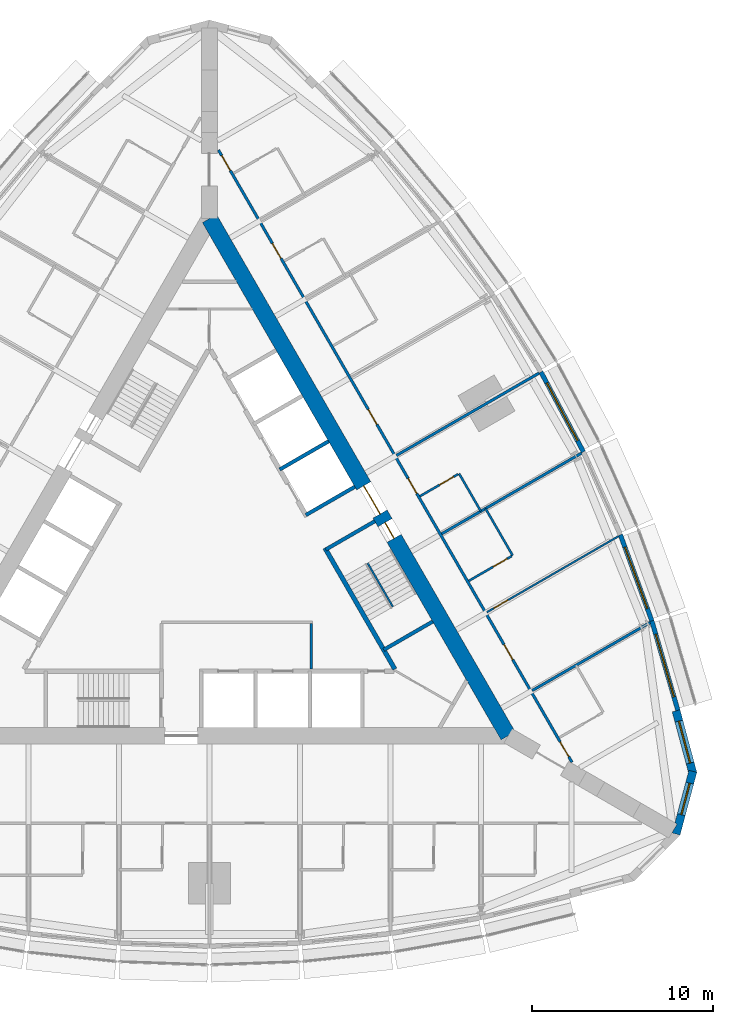
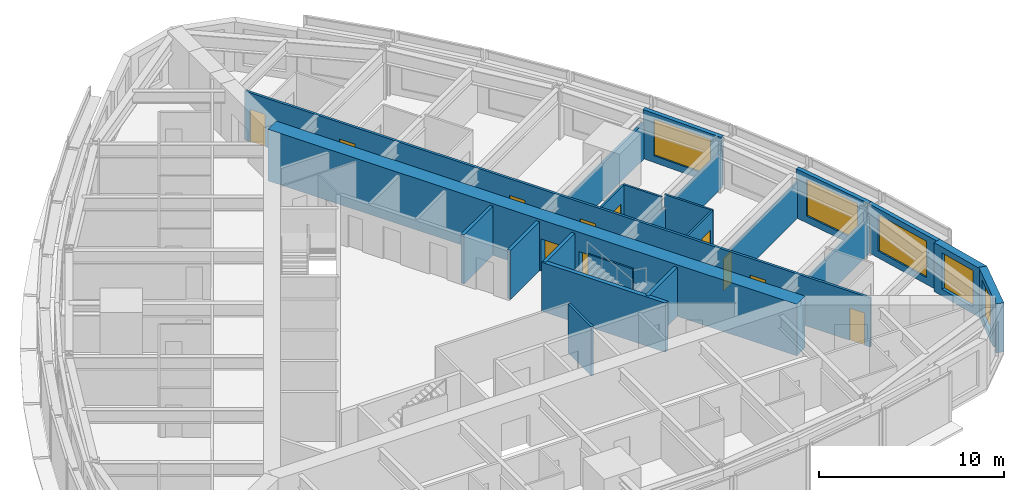
# One storey, part 11 of 14: 22 walls, 11 doors, 5 windows, 16 openings.
"""IFC4 building model written with IfcOpenShell, lengths in metres."""

from ifc_helpers import new_model, si_unit, direction, frame, frame_2d, origin, place, context, subcontext, project, spatial, polyline, rectangle, outline, extrude, material, layer, layer_set, type_object, element, fill, save


model = new_model("IFC4")

# Units and contexts
model_context = context("Model", 3, precision=1e-05, world=origin(), true_north=direction((0.0, 1.0)))
body_context = subcontext(model_context, "Body", "Model", "MODEL_VIEW")
ifc_project = project(units=[si_unit("LENGTHUNIT", "METRE"), si_unit("AREAUNIT", "SQUARE_METRE"), si_unit("VOLUMEUNIT", "CUBIC_METRE"), si_unit("PLANEANGLEUNIT", "RADIAN"), si_unit("MASSUNIT", "GRAM", prefix="KILO")], contexts=[model_context])

# Site, building, storey
site_placement = place(None, origin())
site = spatial("IfcSite", under=ifc_project, at=site_placement, CompositionType="ELEMENT")
building_placement = place(site_placement, origin())
building = spatial("IfcBuilding", under=site, at=building_placement, Name="Trikona Tower", CompositionType="ELEMENT")
storey_placement = place(building_placement, frame((0.0, 0.0, 148.699951171875)))
storey = spatial("IfcBuildingStorey", under=building, at=storey_placement, Name="L39", CompositionType="ELEMENT", Elevation=148.699951171875)

# Wall
ifc_material_1 = material(Name="Metal stud and cement board", Category="gypsum")
ifc_layer_1 = layer(ifc_material_1, 0.1201171875)
ifc_layer_set_1 = layer_set([ifc_layer_1], Name="Bathroom wall 120")
wall_type_1 = type_object("IfcWallType", Name="Bathroom wall 120", PredefinedType="PLUMBINGWALL", material=ifc_layer_set_1)
wall_1_placement = place(storey_placement, frame((16.75341796875, 0.434814453125, 0.0), z_axis=(0.0, 0.0, 1.0), x_axis=(-0.499990139034, 0.866031096941, 0.0)))
element("IfcWall", 1, at=wall_1_placement, inside=storey, type_object=wall_type_1, Name="Bathroom wall 3908.1", PredefinedType="PLUMBINGWALL", context=body_context, shape_type="SweptSolid", body=[
    extrude(rectangle(XDim=3.0, YDim=0.1201171875, at=frame_2d((1.5, 0.0))), origin(), (0.0, 0.0, 1.0), 3.235107421875),
])

# Wall, opening, door
wall_2_placement = place(storey_placement, frame((14.32861328125, -0.965087890625, 0.0), z_axis=(0.0, 0.0, 1.0), x_axis=(0.866035715982, 0.499982138324, 0.0)))
wall_2 = element("IfcWall", 2, at=wall_2_placement, inside=storey, type_object=wall_type_1, Name="Bathroom wall 3908.1", PredefinedType="PLUMBINGWALL", context=body_context, shape_type="SweptSolid", body=[
    extrude(rectangle(XDim=2.73974609375, YDim=0.1201171875, at=frame_2d((1.369873046875, 0.0))), origin(), (0.0, 0.0, 1.0), 3.235107421875),
])
opening_1_placement = place(wall_2_placement, frame((1.550048828125, 0.0, 0.0)))
opening_1 = element("IfcOpeningElement", 3, at=opening_1_placement, cuts=wall_2, Name="Opening D2", PredefinedType="OPENING", context=body_context, shape_type="SweptSolid", body=[
    extrude(rectangle(XDim=0.89990234375, YDim=2.1298828125, at=frame_2d((0.449951171875, 1.06494140625))), frame((0.0, 0.070068359375, 0.0), z_axis=(0.0, -1.0, 0.0), x_axis=(1.0, 0.0, 0.0)), (0.0, 0.0, 1.0), 0.14013671875),
])
ifc_material_2 = material(Name="Steel door frame with solid-core timber leaf", Category="steel")
door_type_1 = type_object("IfcDoorType", Name="Bathroom door 900x2130", OperationType="SLIDING_TO_LEFT", PredefinedType="DOOR", material=ifc_material_2)
door_1_placement = place(opening_1_placement, origin())
door_1 = element("IfcDoor", 4, at=door_1_placement, inside=storey, type_object=door_type_1, Name="Bathroom door 3908.1", OperationType="SLIDING_TO_LEFT", OverallHeight=2.1298828125, OverallWidth=0.89990234375, PredefinedType="DOOR", context=body_context, shape_type="SweptSolid", body=[
    extrude(rectangle(XDim=0.89990234375, YDim=2.1298828125, at=frame_2d((0.449951171875, 1.06494140625))), frame((0.0, 0.02490234375, 0.0), z_axis=(0.0, -1.0, 0.0), x_axis=(1.0, 0.0, 0.0)), (0.0, 0.0, 1.0), 0.050048828125),
])
fill(opening_1, door_1)

# Wall
wall_3_placement = place(storey_placement, frame((14.993408203125, 2.883056640625, 0.0), z_axis=(0.0, 0.0, 1.0), x_axis=(-0.500001309137, 0.866024647952, 0.0)))
element("IfcWall", 5, at=wall_3_placement, inside=storey, type_object=wall_type_1, Name="Bathroom wall 3909", PredefinedType="PLUMBINGWALL", context=body_context, shape_type="SweptSolid", body=[
    extrude(rectangle(XDim=2.39990234375, YDim=0.1201171875, at=frame_2d((1.199951171875, 0.0))), origin(), (0.0, 0.0, 1.0), 3.235107421875),
])

# Wall, opening, door
wall_4_placement = place(storey_placement, frame((11.62841796875, 3.71142578125, 0.0), z_axis=(0.0, 0.0, 1.0), x_axis=(0.866048967903, 0.499959183527, 0.0)))
wall_4 = element("IfcWall", 6, at=wall_4_placement, inside=storey, type_object=wall_type_1, Name="Bathroom wall 3909", PredefinedType="PLUMBINGWALL", context=body_context, shape_type="SweptSolid", body=[
    extrude(rectangle(XDim=2.440185546875, YDim=0.1201171875, at=frame_2d((1.22021484375, 0.0))), origin(), (0.0, 0.0, 1.0), 3.235107421875),
])
opening_2_placement = place(wall_4_placement, frame((1.25, 0.0, 0.0)))
opening_2 = element("IfcOpeningElement", 7, at=opening_2_placement, cuts=wall_4, Name="Opening D2", PredefinedType="OPENING", context=body_context, shape_type="SweptSolid", body=[
    extrude(rectangle(XDim=0.89990234375, YDim=2.1298828125, at=frame_2d((0.449951171875, 1.06494140625))), frame((0.0, 0.070068359375, 0.0), z_axis=(0.0, -1.0, 0.0), x_axis=(1.0, 0.0, 0.0)), (0.0, 0.0, 1.0), 0.14013671875),
])
door_2_placement = place(opening_2_placement, origin())
door_2 = element("IfcDoor", 8, at=door_2_placement, inside=storey, type_object=door_type_1, Name="Bathroom door 3909", OperationType="SLIDING_TO_LEFT", OverallHeight=2.1298828125, OverallWidth=0.89990234375, PredefinedType="DOOR", context=body_context, shape_type="SweptSolid", body=[
    extrude(rectangle(XDim=0.89990234375, YDim=2.1298828125, at=frame_2d((0.449951171875, 1.06494140625))), frame((0.0, 0.02490234375, 0.0), z_axis=(0.0, -1.0, 0.0), x_axis=(1.0, 0.0, 0.0)), (0.0, 0.0, 1.0), 0.050048828125),
])
fill(opening_2, door_2)

# Wall, opening, window
ifc_material_3 = material(Name="Brick-faced precast concrete", Category="masonry")
ifc_layer_2 = layer(ifc_material_3, 0.449951171875)
ifc_layer_set_2 = layer_set([ifc_layer_2], Name="Brick-faced corner wall 450")
wall_type_2 = type_object("IfcWallType", Name="Brick-faced corner wall 450", PredefinedType="SOLIDWALL", material=ifc_layer_set_2)
wall_5_placement = place(storey_placement, frame((25.78271484375, -14.952880859375, 0.0), z_axis=(0.0, 0.0, 1.0), x_axis=(0.258823421857, 0.965924653531, 0.0)))
wall_5 = element("IfcWall", 9, at=wall_5_placement, inside=storey, type_object=wall_type_2, Name="External wall L39-10", PredefinedType="SOLIDWALL", context=body_context, shape_type="SweptSolid", body=[
    extrude(outline(polyline([(3.58642578125, 0.22509765625), (0.58642578125, 0.22509765625), (0.551025390625, 0.09326171875), (0.0595703125, 0.22509765625), (0.0, 0.22509765625), (0.0, -0.22509765625), (3.58642578125, -0.22509765625), (3.58642578125, 0.22509765625)])), origin(), (0.0, 0.0, 1.0), 3.235107421875),
])
opening_3_placement = place(wall_5_placement, frame((1.111328125, 0.0, 0.449951171875)))
opening_3 = element("IfcOpeningElement", 10, at=opening_3_placement, cuts=wall_5, Name="Opening W1824", PredefinedType="OPENING", context=body_context, shape_type="SweptSolid", body=[
    extrude(rectangle(XDim=1.800048828125, YDim=2.39990234375, at=frame_2d((0.89990234375, 1.199951171875))), frame((0.0, 0.23486328125, 0.0), z_axis=(0.0, -1.0, 0.0), x_axis=(1.0, 0.0, 0.0)), (0.0, 0.0, 1.0), 0.469970703125),
])
ifc_material_4 = material(Name="Aluminium-framed double glazing", Category="aluminium")
window_type_1 = type_object("IfcWindowType", Name="Window 1800x2400", PartitioningType="SINGLE_PANEL", PredefinedType="WINDOW", material=ifc_material_4)
window_1_placement = place(opening_3_placement, origin())
window_1 = element("IfcWindow", 11, at=window_1_placement, inside=storey, type_object=window_type_1, Name="Window 3907", OverallHeight=2.39990234375, OverallWidth=1.800048828125, PartitioningType="SINGLE_PANEL", PredefinedType="WINDOW", context=body_context, shape_type="SweptSolid", body=[
    extrude(rectangle(XDim=1.800048828125, YDim=2.39990234375, at=frame_2d((0.89990234375, 1.199951171875))), frame((0.0, 0.030029296875, 0.0), z_axis=(0.0, -1.0, 0.0), x_axis=(1.0, 0.0, 0.0)), (0.0, 0.0, 1.0), 0.06005859375),
])
fill(opening_3, window_1)

wall_6_placement = place(storey_placement, frame((26.7109375, -11.605224609375, 0.0), z_axis=(0.0, 0.0, 1.0), x_axis=(-0.258823421857, 0.965924653531, 0.0)))
wall_6 = element("IfcWall", 12, at=wall_6_placement, inside=storey, type_object=wall_type_2, Name="External wall L39-11", PredefinedType="SOLIDWALL", context=body_context, shape_type="SweptSolid", body=[
    extrude(rectangle(XDim=3.58642578125, YDim=0.449951171875, at=frame_2d((1.793212890625, 0.0))), origin(), (0.0, 0.0, 1.0), 3.235107421875),
])
opening_4_placement = place(wall_6_placement, frame((0.593017578125, 0.0, 0.449951171875)))
opening_4 = element("IfcOpeningElement", 13, at=opening_4_placement, cuts=wall_6, Name="Opening W2424", PredefinedType="OPENING", context=body_context, shape_type="SweptSolid", body=[
    extrude(rectangle(XDim=2.39990234375, YDim=2.39990234375, at=frame_2d((1.199951171875, 1.199951171875))), frame((0.0, 0.23486328125, 0.0), z_axis=(0.0, -1.0, 0.0), x_axis=(1.0, 0.0, 0.0)), (0.0, 0.0, 1.0), 0.469970703125),
])
ifc_material_5 = material(Name="Aluminium-framed double glazing", Category="aluminium")
window_type_2 = type_object("IfcWindowType", Name="Window 2400x2400", PartitioningType="SINGLE_PANEL", PredefinedType="WINDOW", material=ifc_material_5)
window_2_placement = place(opening_4_placement, origin())
window_2 = element("IfcWindow", 14, at=window_2_placement, inside=storey, type_object=window_type_2, Name="Window 3907", OverallHeight=2.39990234375, OverallWidth=2.39990234375, PartitioningType="SINGLE_PANEL", PredefinedType="WINDOW", context=body_context, shape_type="SweptSolid", body=[
    extrude(rectangle(XDim=2.39990234375, YDim=2.39990234375, at=frame_2d((1.199951171875, 1.199951171875))), frame((0.0, 0.030029296875, 0.0), z_axis=(0.0, -1.0, 0.0), x_axis=(1.0, 0.0, 0.0)), (0.0, 0.0, 1.0), 0.06005859375),
])
fill(opening_4, window_2)

# Wall, openings, doors
ifc_material_6 = material(Name="Concrete f'c 10000 psi", Category="concrete")
ifc_layer_3 = layer(ifc_material_6, 0.89990234375)
ifc_layer_set_3 = layer_set([ifc_layer_3], Name="Core wall 900")
wall_type_3 = type_object("IfcWallType", Name="Core wall 900", PredefinedType="SHEAR", material=ifc_layer_set_3)
wall_7_placement = place(storey_placement, frame((16.5, -9.5263671875, 0.0), z_axis=(0.0, 0.0, 1.0), x_axis=(-0.499999749417, 0.866025548458, 0.0)))
wall_7 = element("IfcWall", 15, at=wall_7_placement, inside=storey, type_object=wall_type_3, Name="Core wall B", PredefinedType="SHEAR", context=body_context, shape_type="SweptSolid", body=[
    extrude(rectangle(XDim=33.0, YDim=0.89990234375, at=frame_2d((16.5, 0.0))), origin(), (0.0, 0.0, 1.0), 3.400146484375),
])
opening_5_placement = place(wall_7_placement, frame((14.14990234375, 0.0, 0.0)))
opening_5 = element("IfcOpeningElement", 16, at=opening_5_placement, cuts=wall_7, Name="Opening D6", PredefinedType="OPENING", context=body_context, shape_type="SweptSolid", body=[
    extrude(rectangle(XDim=1.800048828125, YDim=2.1298828125, at=frame_2d((0.89990234375, 1.06494140625))), frame((0.0, 0.4599609375, 0.0), z_axis=(0.0, -1.0, 0.0), x_axis=(1.0, 0.0, 0.0)), (0.0, 0.0, 1.0), 0.919921875),
])
opening_6_placement = place(wall_7_placement, frame((12.60009765625, 0.0, 0.0)))
opening_6 = element("IfcOpeningElement", 17, at=opening_6_placement, cuts=wall_7, Name="Opening D5", PredefinedType="OPENING", context=body_context, shape_type="SweptSolid", body=[
    extrude(rectangle(XDim=1.0, YDim=2.1298828125, at=frame_2d((0.5, 1.06494140625))), frame((0.0, 0.4599609375, 0.0), z_axis=(0.0, -1.0, 0.0), x_axis=(1.0, 0.0, 0.0)), (0.0, 0.0, 1.0), 0.919921875),
])
ifc_material_7 = material(Name="Hollow metal door and frame", Category="steel")
door_type_2 = type_object("IfcDoorType", Name="Lobby door pair 1800x2130", OperationType="DOUBLE_DOOR_SINGLE_SWING", PredefinedType="DOOR", material=ifc_material_7)
door_3_placement = place(opening_5_placement, origin())
door_3 = element("IfcDoor", 18, at=door_3_placement, inside=storey, type_object=door_type_2, Name="Lift lobby door B", OperationType="DOUBLE_DOOR_SINGLE_SWING", OverallHeight=2.1298828125, OverallWidth=1.800048828125, PredefinedType="DOOR", context=body_context, shape_type="SweptSolid", body=[
    extrude(rectangle(XDim=1.800048828125, YDim=2.1298828125, at=frame_2d((0.89990234375, 1.06494140625))), frame((0.0, 0.02490234375, 0.0), z_axis=(0.0, -1.0, 0.0), x_axis=(1.0, 0.0, 0.0)), (0.0, 0.0, 1.0), 0.050048828125),
])
fill(opening_5, door_3)
ifc_material_8 = material(Name="Hollow metal door and frame", Category="steel")
door_type_3 = type_object("IfcDoorType", Name="Stair door 1000x2130", OperationType="SINGLE_SWING_LEFT", PredefinedType="DOOR", material=ifc_material_8)
door_4_placement = place(opening_6_placement, origin())
door_4 = element("IfcDoor", 19, at=door_4_placement, inside=storey, type_object=door_type_3, Name="Stair B door", OperationType="SINGLE_SWING_RIGHT", OverallHeight=2.1298828125, OverallWidth=1.0, PredefinedType="DOOR", context=body_context, shape_type="SweptSolid", body=[
    extrude(rectangle(XDim=1.0, YDim=2.1298828125, at=frame_2d((0.5, 1.06494140625))), frame((0.0, 0.02490234375, 0.0), z_axis=(0.0, -1.0, 0.0), x_axis=(1.0, 0.0, 0.0)), (0.0, 0.0, 1.0), 0.050048828125),
])
fill(opening_6, door_4)

ifc_material_9 = material(Name="Metal stud and gypsum board, 1-hour", Category="gypsum")
ifc_layer_4 = layer(ifc_material_9, 0.14990234375)
ifc_layer_set_4 = layer_set([ifc_layer_4], Name="Corridor wall 150")
wall_type_4 = type_object("IfcWallType", Name="Corridor wall 150", PredefinedType="PARTITIONING", material=ifc_layer_set_4)
wall_8_placement = place(storey_placement, frame((20.027099609375, -10.9853515625, 0.0), z_axis=(0.0, 0.0, 1.0), x_axis=(-0.500001677587, 0.866024435227, 0.0)))
wall_8 = element("IfcWall", 20, at=wall_8_placement, inside=storey, type_object=wall_type_4, Name="Corridor wall L39-2", PredefinedType="PARTITIONING", context=body_context, shape_type="SweptSolid", body=[
    extrude(rectangle(XDim=39.053955078125, YDim=0.14990234375, at=frame_2d((19.52685546875, 0.0))), origin(), (0.0, 0.0, 1.0), 3.235107421875),
])
opening_7_placement = place(wall_8_placement, frame((0.35205078125, 0.0, 0.0)))
opening_7 = element("IfcOpeningElement", 21, at=opening_7_placement, cuts=wall_8, Name="Opening D1", PredefinedType="OPENING", context=body_context, shape_type="SweptSolid", body=[
    extrude(rectangle(XDim=0.949951171875, YDim=2.1298828125, at=frame_2d((0.47509765625, 1.06494140625))), frame((0.0, 0.0849609375, 0.0), z_axis=(0.0, -1.0, 0.0), x_axis=(1.0, 0.0, 0.0)), (0.0, 0.0, 1.0), 0.169921875),
])
opening_8_placement = place(wall_8_placement, frame((6.552001953125, 0.0, 0.0)))
opening_8 = element("IfcOpeningElement", 22, at=opening_8_placement, cuts=wall_8, Name="Opening D1", PredefinedType="OPENING", context=body_context, shape_type="SweptSolid", body=[
    extrude(rectangle(XDim=0.949951171875, YDim=2.1298828125, at=frame_2d((0.47509765625, 1.06494140625))), frame((0.0, 0.0849609375, 0.0), z_axis=(0.0, -1.0, 0.0), x_axis=(1.0, 0.0, 0.0)), (0.0, 0.0, 1.0), 0.169921875),
])
opening_9_placement = place(wall_8_placement, frame((17.152099609375, 0.0, 0.0)))
opening_9 = element("IfcOpeningElement", 23, at=opening_9_placement, cuts=wall_8, Name="Opening D1", PredefinedType="OPENING", context=body_context, shape_type="SweptSolid", body=[
    extrude(rectangle(XDim=0.949951171875, YDim=2.1298828125, at=frame_2d((0.47509765625, 1.06494140625))), frame((0.0, 0.0849609375, 0.0), z_axis=(0.0, -1.0, 0.0), x_axis=(1.0, 0.0, 0.0)), (0.0, 0.0, 1.0), 0.169921875),
])
opening_10_placement = place(wall_8_placement, frame((21.552001953125, 0.0, 0.0)))
opening_10 = element("IfcOpeningElement", 24, at=opening_10_placement, cuts=wall_8, Name="Opening D1", PredefinedType="OPENING", context=body_context, shape_type="SweptSolid", body=[
    extrude(rectangle(XDim=0.949951171875, YDim=2.1298828125, at=frame_2d((0.47509765625, 1.06494140625))), frame((0.0, 0.0849609375, 0.0), z_axis=(0.0, -1.0, 0.0), x_axis=(1.0, 0.0, 0.0)), (0.0, 0.0, 1.0), 0.169921875),
])
opening_11_placement = place(wall_8_placement, frame((32.152099609375, 0.0, 0.0)))
opening_11 = element("IfcOpeningElement", 25, at=opening_11_placement, cuts=wall_8, Name="Opening D1", PredefinedType="OPENING", context=body_context, shape_type="SweptSolid", body=[
    extrude(rectangle(XDim=0.949951171875, YDim=2.1298828125, at=frame_2d((0.47509765625, 1.06494140625))), frame((0.0, 0.0849609375, 0.0), z_axis=(0.0, -1.0, 0.0), x_axis=(1.0, 0.0, 0.0)), (0.0, 0.0, 1.0), 0.169921875),
])
opening_12_placement = place(wall_8_placement, frame((37.751953125, 0.0, 0.0)))
opening_12 = element("IfcOpeningElement", 26, at=opening_12_placement, cuts=wall_8, Name="Opening D1", PredefinedType="OPENING", context=body_context, shape_type="SweptSolid", body=[
    extrude(rectangle(XDim=0.949951171875, YDim=2.1298828125, at=frame_2d((0.47509765625, 1.06494140625))), frame((0.0, 0.0849609375, 0.0), z_axis=(0.0, -1.0, 0.0), x_axis=(1.0, 0.0, 0.0)), (0.0, 0.0, 1.0), 0.169921875),
])
ifc_material_10 = material(Name="Steel door frame with solid-core timber leaf", Category="steel")
door_type_4 = type_object("IfcDoorType", Name="Guest room door 950x2130", OperationType="SINGLE_SWING_LEFT", PredefinedType="DOOR", material=ifc_material_10)
door_5_placement = place(opening_7_placement, origin())
door_5 = element("IfcDoor", 27, at=door_5_placement, inside=storey, type_object=door_type_4, Name="Room door 3907", OperationType="SINGLE_SWING_LEFT", OverallHeight=2.1298828125, OverallWidth=0.949951171875, PredefinedType="DOOR", context=body_context, shape_type="SweptSolid", body=[
    extrude(rectangle(XDim=0.949951171875, YDim=2.1298828125, at=frame_2d((0.47509765625, 1.06494140625))), frame((0.0, 0.02490234375, 0.0), z_axis=(0.0, -1.0, 0.0), x_axis=(1.0, 0.0, 0.0)), (0.0, 0.0, 1.0), 0.050048828125),
])
fill(opening_7, door_5)
door_6_placement = place(opening_8_placement, origin())
door_6 = element("IfcDoor", 28, at=door_6_placement, inside=storey, type_object=door_type_4, Name="Room door 3908", OperationType="SINGLE_SWING_RIGHT", OverallHeight=2.1298828125, OverallWidth=0.949951171875, PredefinedType="DOOR", context=body_context, shape_type="SweptSolid", body=[
    extrude(rectangle(XDim=0.949951171875, YDim=2.1298828125, at=frame_2d((0.47509765625, 1.06494140625))), frame((0.0, 0.02490234375, 0.0), z_axis=(0.0, -1.0, 0.0), x_axis=(1.0, 0.0, 0.0)), (0.0, 0.0, 1.0), 0.050048828125),
])
fill(opening_8, door_6)
door_7_placement = place(opening_9_placement, origin())
door_7 = element("IfcDoor", 29, at=door_7_placement, inside=storey, type_object=door_type_4, Name="Room door 3909", OperationType="SINGLE_SWING_LEFT", OverallHeight=2.1298828125, OverallWidth=0.949951171875, PredefinedType="DOOR", context=body_context, shape_type="SweptSolid", body=[
    extrude(rectangle(XDim=0.949951171875, YDim=2.1298828125, at=frame_2d((0.47509765625, 1.06494140625))), frame((0.0, 0.02490234375, 0.0), z_axis=(0.0, -1.0, 0.0), x_axis=(1.0, 0.0, 0.0)), (0.0, 0.0, 1.0), 0.050048828125),
])
fill(opening_9, door_7)
door_8_placement = place(opening_10_placement, origin())
door_8 = element("IfcDoor", 30, at=door_8_placement, inside=storey, type_object=door_type_4, Name="Room door 3910", OperationType="SINGLE_SWING_RIGHT", OverallHeight=2.1298828125, OverallWidth=0.949951171875, PredefinedType="DOOR", context=body_context, shape_type="SweptSolid", body=[
    extrude(rectangle(XDim=0.949951171875, YDim=2.1298828125, at=frame_2d((0.47509765625, 1.06494140625))), frame((0.0, 0.02490234375, 0.0), z_axis=(0.0, -1.0, 0.0), x_axis=(1.0, 0.0, 0.0)), (0.0, 0.0, 1.0), 0.050048828125),
])
fill(opening_10, door_8)
door_9_placement = place(opening_11_placement, origin())
door_9 = element("IfcDoor", 31, at=door_9_placement, inside=storey, type_object=door_type_4, Name="Room door 3911", OperationType="SINGLE_SWING_LEFT", OverallHeight=2.1298828125, OverallWidth=0.949951171875, PredefinedType="DOOR", context=body_context, shape_type="SweptSolid", body=[
    extrude(rectangle(XDim=0.949951171875, YDim=2.1298828125, at=frame_2d((0.47509765625, 1.06494140625))), frame((0.0, 0.02490234375, 0.0), z_axis=(0.0, -1.0, 0.0), x_axis=(1.0, 0.0, 0.0)), (0.0, 0.0, 1.0), 0.050048828125),
])
fill(opening_11, door_9)
door_10_placement = place(opening_12_placement, origin())
door_10 = element("IfcDoor", 32, at=door_10_placement, inside=storey, type_object=door_type_4, Name="Room door 3912", OperationType="SINGLE_SWING_RIGHT", OverallHeight=2.1298828125, OverallWidth=0.949951171875, PredefinedType="DOOR", context=body_context, shape_type="SweptSolid", body=[
    extrude(rectangle(XDim=0.949951171875, YDim=2.1298828125, at=frame_2d((0.47509765625, 1.06494140625))), frame((0.0, 0.02490234375, 0.0), z_axis=(0.0, -1.0, 0.0), x_axis=(1.0, 0.0, 0.0)), (0.0, 0.0, 1.0), 0.050048828125),
])
fill(opening_12, door_10)

# Wall
ifc_material_11 = material(Name="Concrete f'c 8000 psi", Category="concrete")
ifc_layer_5 = layer(ifc_material_11, 0.25)
ifc_layer_set_5 = layer_set([ifc_layer_5], Name="Hub wall 250")
wall_type_5 = type_object("IfcWallType", Name="Hub wall 250", PredefinedType="SOLIDWALL", material=ifc_layer_set_5)
wall_9_placement = place(storey_placement, frame((10.245361328125, -5.843017578125, 0.0), z_axis=(0.0, 0.0, 1.0), x_axis=(-0.499993009313, 0.866029439822, 0.0)))
element("IfcWall", 33, at=wall_9_placement, inside=storey, type_object=wall_type_5, Name="Lift lobby wall B1", PredefinedType="SOLIDWALL", context=body_context, shape_type="SweptSolid", body=[
    extrude(rectangle(XDim=7.73291015625, YDim=0.25, at=frame_2d((3.866455078125, 0.0))), origin(), (0.0, 0.0, 1.0), 3.235107421875),
])

# Wall, opening, window
ifc_material_12 = material(Name="Insulated precast concrete spandrel panel", Category="concrete")
ifc_layer_6 = layer(ifc_material_12, 0.25)
ifc_layer_set_6 = layer_set([ifc_layer_6], Name="Inner skin wall 250")
wall_type_6 = type_object("IfcWallType", Name="Inner skin wall 250", PredefinedType="STANDARD", material=ifc_layer_set_6)
wall_10_placement = place(storey_placement, frame((25.8798828125, -8.117919921875, 0.0), z_axis=(0.0, 0.0, 1.0), x_axis=(-0.279528287117, 0.960137457191, 0.0)))
wall_10 = element("IfcWall", 34, at=wall_10_placement, inside=storey, type_object=wall_type_6, Name="External wall L39-12", PredefinedType="STANDARD", context=body_context, shape_type="SweptSolid", body=[
    extrude(rectangle(XDim=5.14794921875, YDim=0.25, at=frame_2d((2.573974609375, 0.0))), origin(), (0.0, 0.0, 1.0), 3.235107421875),
])
opening_13_placement = place(wall_10_placement, frame((0.77392578125, 0.0, 0.449951171875)))
opening_13 = element("IfcOpeningElement", 35, at=opening_13_placement, cuts=wall_10, Name="Opening W3624", PredefinedType="OPENING", context=body_context, shape_type="SweptSolid", body=[
    extrude(rectangle(XDim=3.60009765625, YDim=2.39990234375, at=frame_2d((1.800048828125, 1.199951171875))), frame((0.0, 0.135009765625, 0.0), z_axis=(0.0, -1.0, 0.0), x_axis=(1.0, 0.0, 0.0)), (0.0, 0.0, 1.0), 0.27001953125),
])
ifc_material_13 = material(Name="Aluminium-framed double glazing", Category="aluminium")
window_type_3 = type_object("IfcWindowType", Name="Window 3600x2400", PartitioningType="SINGLE_PANEL", PredefinedType="WINDOW", material=ifc_material_13)
window_3_placement = place(opening_13_placement, origin())
window_3 = element("IfcWindow", 36, at=window_3_placement, inside=storey, type_object=window_type_3, Name="Window 3907", OverallHeight=2.39990234375, OverallWidth=3.60009765625, PartitioningType="SINGLE_PANEL", PredefinedType="WINDOW", context=body_context, shape_type="SweptSolid", body=[
    extrude(rectangle(XDim=3.60009765625, YDim=2.39990234375, at=frame_2d((1.800048828125, 1.199951171875))), frame((0.0, 0.030029296875, 0.0), z_axis=(0.0, -1.0, 0.0), x_axis=(1.0, 0.0, 0.0)), (0.0, 0.0, 1.0), 0.06005859375),
])
fill(opening_13, window_3)

wall_11_placement = place(storey_placement, frame((24.443603515625, -3.18310546875, 0.0), z_axis=(0.0, 0.0, 1.0), x_axis=(-0.343225593282, 0.939252996863, 0.0)))
wall_11 = element("IfcWall", 37, at=wall_11_placement, inside=storey, type_object=wall_type_6, Name="External wall L39-13", PredefinedType="STANDARD", context=body_context, shape_type="SweptSolid", body=[
    extrude(rectangle(XDim=5.075927734375, YDim=0.25, at=frame_2d((2.5380859375, 0.0))), origin(), (0.0, 0.0, 1.0), 3.235107421875),
])
opening_14_placement = place(wall_11_placement, frame((0.738037109375, 0.0, 0.449951171875)))
opening_14 = element("IfcOpeningElement", 38, at=opening_14_placement, cuts=wall_11, Name="Opening W3624", PredefinedType="OPENING", context=body_context, shape_type="SweptSolid", body=[
    extrude(rectangle(XDim=3.60009765625, YDim=2.39990234375, at=frame_2d((1.800048828125, 1.199951171875))), frame((0.0, 0.135009765625, 0.0), z_axis=(0.0, -1.0, 0.0), x_axis=(1.0, 0.0, 0.0)), (0.0, 0.0, 1.0), 0.27001953125),
])
window_4_placement = place(opening_14_placement, origin())
window_4 = element("IfcWindow", 39, at=window_4_placement, inside=storey, type_object=window_type_3, Name="Window 3908", OverallHeight=2.39990234375, OverallWidth=3.60009765625, PartitioningType="SINGLE_PANEL", PredefinedType="WINDOW", context=body_context, shape_type="SweptSolid", body=[
    extrude(rectangle(XDim=3.60009765625, YDim=2.39990234375, at=frame_2d((1.800048828125, 1.199951171875))), frame((0.0, 0.030029296875, 0.0), z_axis=(0.0, -1.0, 0.0), x_axis=(1.0, 0.0, 0.0)), (0.0, 0.0, 1.0), 0.06005859375),
])
fill(opening_14, window_4)

wall_12_placement = place(storey_placement, frame((20.662841796875, 6.161376953125, 0.0), z_axis=(0.0, 0.0, 1.0), x_axis=(-0.469404966864, 0.882982999317, 0.0)))
wall_12 = element("IfcWall", 40, at=wall_12_placement, inside=storey, type_object=wall_type_6, Name="External wall L39-15", PredefinedType="STANDARD", context=body_context, shape_type="SweptSolid", body=[
    extrude(rectangle(XDim=5.0029296875, YDim=0.25, at=frame_2d((2.50146484375, 0.0))), origin(), (0.0, 0.0, 1.0), 3.235107421875),
])
opening_15_placement = place(wall_12_placement, frame((0.701416015625, 0.0, 0.449951171875)))
opening_15 = element("IfcOpeningElement", 41, at=opening_15_placement, cuts=wall_12, Name="Opening W3624", PredefinedType="OPENING", context=body_context, shape_type="SweptSolid", body=[
    extrude(rectangle(XDim=3.60009765625, YDim=2.39990234375, at=frame_2d((1.800048828125, 1.199951171875))), frame((0.0, 0.135009765625, 0.0), z_axis=(0.0, -1.0, 0.0), x_axis=(1.0, 0.0, 0.0)), (0.0, 0.0, 1.0), 0.27001953125),
])
window_5_placement = place(opening_15_placement, origin())
window_5 = element("IfcWindow", 42, at=window_5_placement, inside=storey, type_object=window_type_3, Name="Window 3909", OverallHeight=2.39990234375, OverallWidth=3.60009765625, PartitioningType="SINGLE_PANEL", PredefinedType="WINDOW", context=body_context, shape_type="SweptSolid", body=[
    extrude(rectangle(XDim=3.60009765625, YDim=2.39990234375, at=frame_2d((1.800048828125, 1.199951171875))), frame((0.0, 0.030029296875, 0.0), z_axis=(0.0, -1.0, 0.0), x_axis=(1.0, 0.0, 0.0)), (0.0, 0.0, 1.0), 0.06005859375),
])
fill(opening_15, window_5)

# Walls
ifc_material_14 = material(Name="Metal stud and gypsum board, 2-hour shaft wall", Category="gypsum")
ifc_layer_7 = layer(ifc_material_14, 0.14990234375)
ifc_layer_set_7 = layer_set([ifc_layer_7], Name="Lobby wall 150")
wall_type_7 = type_object("IfcWallType", Name="Lobby wall 150", PredefinedType="PARTITIONING", material=ifc_layer_set_7)
wall_13_placement = place(storey_placement, frame((5.625, -5.826416015625, 0.0), z_axis=(0.0, 0.0, 1.0), x_axis=(0.0, 1.0, 0.0)))
element("IfcWall", 43, at=wall_13_placement, inside=storey, type_object=wall_type_7, Name="Fire service lift lobby wall 3", PredefinedType="PARTITIONING", context=body_context, shape_type="SweptSolid", body=[
    extrude(rectangle(XDim=2.5, YDim=0.14990234375, at=frame_2d((1.25, 0.0))), origin(), (0.0, 0.0, 1.0), 3.235107421875),
])
ifc_material_15 = material(Name="Metal stud and gypsum board, 1-hour acoustic", Category="gypsum")
ifc_layer_8 = layer(ifc_material_15, 0.14990234375)
ifc_layer_set_8 = layer_set([ifc_layer_8], Name="Party wall 150")
wall_type_8 = type_object("IfcWallType", Name="Party wall 150", PredefinedType="PARTITIONING", material=ifc_layer_set_8)
wall_14_placement = place(storey_placement, frame((17.82861328125, -7.027099609375, 0.0), z_axis=(0.0, 0.0, 1.0), x_axis=(0.866029804378, 0.499992377871, 0.0)))
element("IfcWall", 44, at=wall_14_placement, inside=storey, type_object=wall_type_8, Name="Partition L39 F2 u-15", PredefinedType="PARTITIONING", context=body_context, shape_type="SweptSolid", body=[
    extrude(rectangle(XDim=7.51611328125, YDim=0.14990234375, at=frame_2d((3.758056640625, 0.0))), origin(), (0.0, 0.0, 1.0), 2.38916015625),
])
wall_15_placement = place(storey_placement, frame((12.82861328125, 1.633056640625, 0.0), z_axis=(0.0, 0.0, 1.0), x_axis=(0.866027015393, 0.499997208602, 0.0)))
element("IfcWall", 45, at=wall_15_placement, inside=storey, type_object=wall_type_8, Name="Partition L39 F2 u-5", PredefinedType="PARTITIONING", context=body_context, shape_type="SweptSolid", body=[
    extrude(rectangle(XDim=8.92236328125, YDim=0.14990234375, at=frame_2d((4.461181640625, 0.0))), origin(), (0.0, 0.0, 1.0), 2.38916015625),
])
wall_16_placement = place(storey_placement, frame((10.32861328125, 5.963134765625, 0.0), z_axis=(0.0, 0.0, 1.0), x_axis=(0.866025170687, 0.500000403736, 0.0)))
element("IfcWall", 46, at=wall_16_placement, inside=storey, type_object=wall_type_8, Name="Partition L39 F2 u-4.44089e-15", PredefinedType="PARTITIONING", context=body_context, shape_type="SweptSolid", body=[
    extrude(rectangle(XDim=9.0986328125, YDim=0.14990234375, at=frame_2d((4.54931640625, 0.0))), origin(), (0.0, 0.0, 1.0), 2.38916015625),
])
ifc_material_16 = material(Name="Concrete f'c 8000 psi", Category="concrete")
ifc_layer_9 = layer(ifc_material_16, 0.199951171875)
ifc_layer_set_9 = layer_set([ifc_layer_9], Name="Shaft wall 200")
wall_type_9 = type_object("IfcWallType", Name="Shaft wall 200", PredefinedType="SOLIDWALL", material=ifc_layer_set_9)
for number, where, z_axis, x_axis, name in (
    (47, (5.3291015625, 2.672607421875, 0.0), (0.0, 0.0, 1.0), (0.866022959057, 0.500004234368, 0.0), "Shaft wall B3"),
    (48, (3.87890625, 5.18408203125, 0.0), (0.0, 0.0, 1.0), (0.866022959057, 0.500004234368, 0.0), "Shaft wall B4"),
):
    element("IfcWall", number, at=place(storey_placement, frame(where, z_axis=z_axis, x_axis=x_axis)), inside=storey, type_object=wall_type_9, Name=name, PredefinedType="SOLIDWALL", context=body_context, shape_type="SweptSolid", body=[
        extrude(rectangle(XDim=3.125, YDim=0.199951171875, at=frame_2d((1.5625, 0.0))), origin(), (0.0, 0.0, 1.0), 3.235107421875),
    ])
ifc_material_17 = material(Name="Concrete f'c 8000 psi", Category="concrete")
ifc_layer_10 = layer(ifc_material_17, 0.199951171875)
ifc_layer_set_10 = layer_set([ifc_layer_10], Name="Shaft wall 200 load-bearing")
wall_type_10 = type_object("IfcWallType", Name="Shaft wall 200 load-bearing", PredefinedType="SOLIDWALL", material=ifc_layer_set_10)
for number, where, z_axis, x_axis, name in (
    (49, (9.62890625, -4.775390625, 0.0), (0.0, 0.0, 1.0), (0.866022959057, 0.500004234368, 0.0), "Shaft wall B1"),
    (50, (6.428955078125, 0.767333984375, 0.0), (0.0, 0.0, 1.0), (0.866022959057, 0.500004234368, 0.0), "Shaft wall B2"),
):
    element("IfcWall", number, at=place(storey_placement, frame(where, z_axis=z_axis, x_axis=x_axis)), inside=storey, type_object=wall_type_10, Name=name, PredefinedType="SOLIDWALL", context=body_context, shape_type="SweptSolid", body=[
        extrude(rectangle(XDim=3.125, YDim=0.199951171875, at=frame_2d((1.5625, 0.0))), origin(), (0.0, 0.0, 1.0), 3.235107421875),
    ])
ifc_material_18 = material(Name="Concrete f'c 5000 psi", Category="concrete")
ifc_layer_11 = layer(ifc_material_18, 0.10009765625)
ifc_layer_set_11 = layer_set([ifc_layer_11], Name="Stair spine wall 100")
wall_type_11 = type_object("IfcWallType", Name="Stair spine wall 100", PredefinedType="SOLIDWALL", material=ifc_layer_set_11)
wall_17_placement = place(storey_placement, frame((10.134765625, -2.4013671875, 0.0), z_axis=(0.0, 0.0, 1.0), x_axis=(-0.499992232847, 0.866029888106, 0.0)))
element("IfcWall", 51, at=wall_17_placement, inside=storey, type_object=wall_type_11, Name="Stair B spine wall L39", PredefinedType="SOLIDWALL", context=body_context, shape_type="SweptSolid", body=[
    extrude(rectangle(XDim=2.7939453125, YDim=0.10009765625, at=frame_2d((1.39697265625, 0.0))), origin(), (0.0, 0.0, 1.0), 3.400146484375),
])

# Wall, opening, door
ifc_material_19 = material(Name="Metal stud and gypsum board, acoustic", Category="gypsum")
ifc_layer_12 = layer(ifc_material_19, 0.10009765625)
ifc_layer_set_12 = layer_set([ifc_layer_12], Name="Suite partition 100")
wall_type_12 = type_object("IfcWallType", Name="Suite partition 100", PredefinedType="PARTITIONING", material=ifc_layer_set_12)
wall_18_placement = place(storey_placement, frame((15.32861328125, -2.697021484375, 0.0), z_axis=(0.0, 0.0, 1.0), x_axis=(0.866024316602, 0.50000188305, 0.0)))
wall_18 = element("IfcWall", 52, at=wall_18_placement, inside=storey, type_object=wall_type_12, Name="Suite partition L39 F2 u-10", PredefinedType="PARTITIONING", context=body_context, shape_type="SweptSolid", body=[
    extrude(rectangle(XDim=8.39501953125, YDim=0.10009765625, at=frame_2d((4.197509765625, 0.0))), origin(), (0.0, 0.0, 1.0), 2.38916015625),
])
opening_16_placement = place(wall_18_placement, frame((0.449951171875, 0.0, 0.0)))
opening_16 = element("IfcOpeningElement", 53, at=opening_16_placement, cuts=wall_18, Name="Opening D13", PredefinedType="OPENING", context=body_context, shape_type="SweptSolid", body=[
    extrude(rectangle(XDim=0.89990234375, YDim=2.1298828125, at=frame_2d((0.449951171875, 1.06494140625))), frame((0.0, 0.06005859375, 0.0), z_axis=(0.0, -1.0, 0.0), x_axis=(1.0, 0.0, 0.0)), (0.0, 0.0, 1.0), 0.1201171875),
])
ifc_material_20 = material(Name="Steel door frame with solid-core timber leaf", Category="steel")
door_type_5 = type_object("IfcDoorType", Name="Suite door 900x2130", OperationType="SINGLE_SWING_LEFT", PredefinedType="DOOR", material=ifc_material_20)
door_11_placement = place(opening_16_placement, origin())
door_11 = element("IfcDoor", 54, at=door_11_placement, inside=storey, type_object=door_type_5, Name="Suite door 3908", OperationType="SINGLE_SWING_LEFT", OverallHeight=2.1298828125, OverallWidth=0.89990234375, PredefinedType="DOOR", context=body_context, shape_type="SweptSolid", body=[
    extrude(rectangle(XDim=0.89990234375, YDim=2.1298828125, at=frame_2d((0.449951171875, 1.06494140625))), frame((0.0, 0.02490234375, 0.0), z_axis=(0.0, -1.0, 0.0), x_axis=(1.0, 0.0, 0.0)), (0.0, 0.0, 1.0), 0.050048828125),
])
fill(opening_16, door_11)

save(model, "model.ifc")
